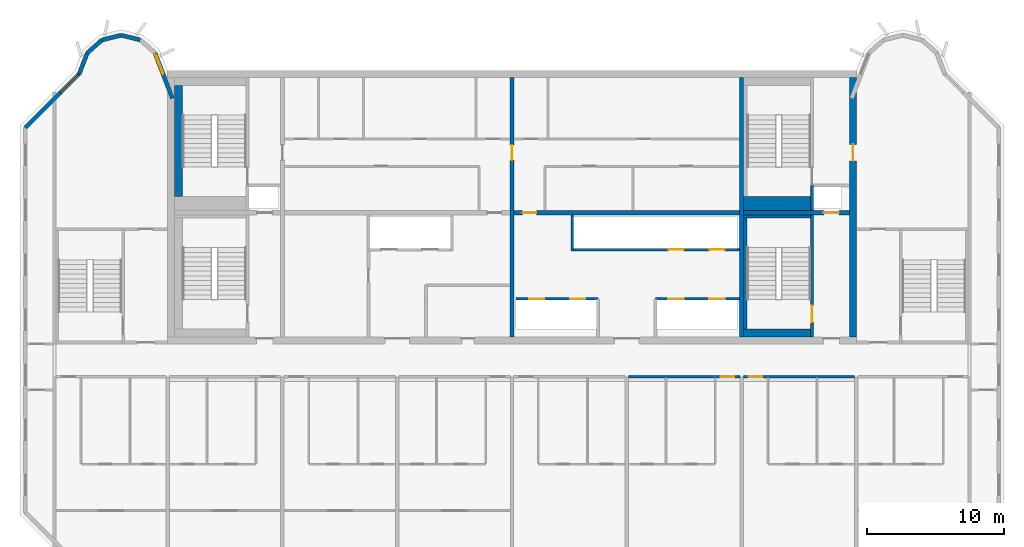
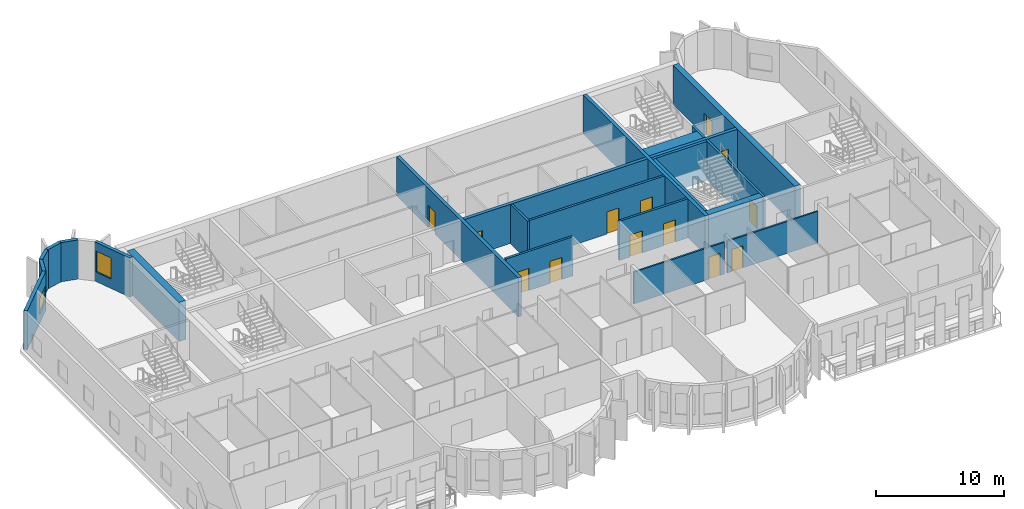
# One storey, part 6 of 12: 24 walls, 13 doors, 2 windows, 15 openings.
"""IFC4 building model written with IfcOpenShell, lengths in metres."""

from ifc_helpers import new_model, si_unit, direction, frame, frame_2d, origin, place, context, subcontext, project, spatial, rectangle, extrude, source, transform, mapped, material, layer, layer_set, type_object, element, fill, save


model = new_model("IFC4")

# Units and contexts
model_context = context("Model", 3, precision=1e-05, world=origin(), true_north=direction((0.0, 1.0)))
body_context = subcontext(model_context, "Body", "Model", "MODEL_VIEW")
ifc_project = project(units=[si_unit("LENGTHUNIT", "METRE"), si_unit("AREAUNIT", "SQUARE_METRE"), si_unit("VOLUMEUNIT", "CUBIC_METRE"), si_unit("PLANEANGLEUNIT", "RADIAN"), si_unit("MASSUNIT", "GRAM", prefix="KILO")], contexts=[model_context])

# Site, building, storey
site_placement = place(None, origin())
site = spatial("IfcSite", under=ifc_project, at=site_placement, CompositionType="ELEMENT")
building_placement = place(site_placement, origin())
building = spatial("IfcBuilding", under=site, at=building_placement, Name="Vanashikhar Sky Hotel", CompositionType="ELEMENT")
storey_placement = place(building_placement, frame((0.0, 0.0, 281.699951171875)))
storey = spatial("IfcBuildingStorey", under=building, at=storey_placement, Name="L67", CompositionType="ELEMENT", Elevation=281.699951171875)

# Wall, opening, door
ifc_material_1 = material(Name="Concrete M50", Category="concrete")
ifc_layer_1 = layer(ifc_material_1, 0.5)
ifc_layer_set_1 = layer_set([ifc_layer_1], Name="RC core shell wall 500 Concrete M50")
wall_type_1 = type_object("IfcWallType", Name="RC core shell wall 500 Concrete M50", PredefinedType="SHEAR", material=ifc_layer_set_1)
shared_shape_1 = source(origin(), body_context, "Body", "SweptSolid", [
    extrude(rectangle(XDim=19.0, YDim=0.5, at=frame_2d((9.5, 0.0))), origin(), (0.0, 0.0, 1.0), 3.719970703125),
])
wall_1_placement = place(storey_placement, frame((75.35009765625, 22.5, 0.0), z_axis=(0.0, 0.0, 1.0), x_axis=(0.0, 1.0, 0.0)))
wall_1 = element("IfcWall", 1, at=wall_1_placement, inside=storey, type_object=wall_type_1, Name="KW-L67-KE", PredefinedType="SHEAR", context=body_context, shape_type="MappedRepresentation", body=[
    mapped(shared_shape_1, transform((0.0, 0.0, 0.0), scale=1.0)),
])
shared_shape_2 = source(origin(), body_context, "Body", "SweptSolid", [
    extrude(rectangle(XDim=1.199951171875, YDim=2.10009765625, at=frame_2d((0.60009765625, 1.050048828125))), frame((0.0, 0.260009765625, 0.0), z_axis=(0.0, -1.0, 0.0), x_axis=(1.0, 0.0, 0.0)), (0.0, 0.0, 1.0), 0.52001953125),
])
opening_1_placement = place(wall_1_placement, frame((12.89990234375, 0.0, 0.0)))
opening_1 = element("IfcOpeningElement", 2, at=opening_1_placement, cuts=wall_1, Name="Opening DC-4-D", PredefinedType="OPENING", context=body_context, shape_type="MappedRepresentation", body=[
    mapped(shared_shape_2, transform((0.0, 0.0, 0.0), scale=1.0)),
])
ifc_material_2 = material(Name="Steel", Category="steel")
door_type_1 = type_object("IfcDoorType", Name="Service door 1200 FD120", OperationType="NOTDEFINED", PredefinedType="DOOR", material=ifc_material_2)
shared_shape_3 = source(origin(), body_context, "Body", "SweptSolid", [
    extrude(rectangle(XDim=1.199951171875, YDim=2.10009765625, at=frame_2d((0.60009765625, 1.050048828125))), frame((0.0, 0.02490234375, 0.0), z_axis=(0.0, -1.0, 0.0), x_axis=(1.0, 0.0, 0.0)), (0.0, 0.0, 1.0), 0.050048828125),
])
door_1_placement = place(opening_1_placement, origin())
door_1 = element("IfcDoor", 3, at=door_1_placement, inside=storey, type_object=door_type_1, Name="Service door 1200 FD120", OperationType="SINGLE_SWING_RIGHT", OverallHeight=2.10009765625, OverallWidth=1.199951171875, PredefinedType="DOOR", context=body_context, shape_type="MappedRepresentation", body=[
    mapped(shared_shape_3, transform((0.0, 0.0, 0.0), scale=1.0)),
])
fill(opening_1, door_1)

ifc_layer_2 = layer(ifc_material_1, 0.300048828125)
ifc_layer_set_2 = layer_set([ifc_layer_2], Name="RC core inner wall 300 Concrete M50")
wall_type_2 = type_object("IfcWallType", Name="RC core inner wall 300 Concrete M50", PredefinedType="SHEAR", material=ifc_layer_set_2)
shared_shape_4 = source(origin(), body_context, "Body", "SweptSolid", [
    extrude(rectangle(XDim=19.0, YDim=0.300048828125, at=frame_2d((9.5, 0.0))), origin(), (0.0, 0.0, 1.0), 3.719970703125),
])
wall_2_placement = place(storey_placement, frame((50.39990234375, 22.5, 0.0), z_axis=(0.0, 0.0, 1.0), x_axis=(0.0, 1.0, 0.0)))
wall_2 = element("IfcWall", 4, at=wall_2_placement, inside=storey, type_object=wall_type_2, Name="KW-L67-KX2", PredefinedType="SHEAR", context=body_context, shape_type="MappedRepresentation", body=[
    mapped(shared_shape_4, transform((0.0, 0.0, 0.0), scale=1.0)),
])
shared_shape_5 = source(origin(), body_context, "Body", "SweptSolid", [
    extrude(rectangle(XDim=1.10009765625, YDim=2.10009765625, at=frame_2d((0.550048828125, 1.050048828125))), frame((0.0, 0.16015625, 0.0), z_axis=(0.0, -1.0, 0.0), x_axis=(1.0, 0.0, 0.0)), (0.0, 0.0, 1.0), 0.320068359375),
])
opening_2_placement = place(wall_2_placement, frame((12.949951171875, 0.0, 0.0)))
opening_2 = element("IfcOpeningElement", 5, at=opening_2_placement, cuts=wall_2, Name="Opening DC-4-C", PredefinedType="OPENING", context=body_context, shape_type="MappedRepresentation", body=[
    mapped(shared_shape_5, transform((0.0, 0.0, 0.0), scale=1.0)),
])
door_type_2 = type_object("IfcDoorType", Name="Service door 1100 FD60", OperationType="NOTDEFINED", PredefinedType="DOOR", material=ifc_material_2)
shared_shape_6 = source(origin(), body_context, "Body", "SweptSolid", [
    extrude(rectangle(XDim=1.10009765625, YDim=2.10009765625, at=frame_2d((0.550048828125, 1.050048828125))), frame((0.0, 0.02490234375, 0.0), z_axis=(0.0, -1.0, 0.0), x_axis=(1.0, 0.0, 0.0)), (0.0, 0.0, 1.0), 0.050048828125),
])
door_2_placement = place(opening_2_placement, origin())
door_2 = element("IfcDoor", 6, at=door_2_placement, inside=storey, type_object=door_type_2, Name="Service door 1100 FD60", OperationType="SINGLE_SWING_RIGHT", OverallHeight=2.10009765625, OverallWidth=1.10009765625, PredefinedType="DOOR", context=body_context, shape_type="MappedRepresentation", body=[
    mapped(shared_shape_6, transform((0.0, 0.0, 0.0), scale=1.0)),
])
fill(opening_2, door_2)

# Wall
wall_3_placement = place(storey_placement, frame((67.199951171875, 22.5, 0.0), z_axis=(0.0, 0.0, 1.0), x_axis=(0.0, 1.0, 0.0)))
element("IfcWall", 7, at=wall_3_placement, inside=storey, type_object=wall_type_2, Name="KW-L67-KX3", PredefinedType="SHEAR", context=body_context, shape_type="MappedRepresentation", body=[
    mapped(shared_shape_4, transform((0.0, 0.0, 0.0), scale=1.0)),
])

# Wall, opening, door
shared_shape_7 = source(origin(), body_context, "Body", "SweptSolid", [
    extrude(rectangle(XDim=7.75, YDim=0.300048828125, at=frame_2d((3.875, 0.0))), origin(), (0.0, 0.0, 1.0), 3.719970703125),
])
wall_4_placement = place(storey_placement, frame((67.35009765625, 31.60009765625, 0.0), z_axis=(0.0, 0.0, 1.0), x_axis=(1.0, 0.0, 0.0)))
wall_4 = element("IfcWall", 8, at=wall_4_placement, inside=storey, type_object=wall_type_2, Name="KW-L67-KY4", PredefinedType="SHEAR", context=body_context, shape_type="MappedRepresentation", body=[
    mapped(shared_shape_7, transform((0.0, 0.0, 0.0), scale=1.0)),
])
opening_3_placement = place(wall_4_placement, frame((5.875, 0.0, 0.0)))
opening_3 = element("IfcOpeningElement", 9, at=opening_3_placement, cuts=wall_4, Name="Opening LD", PredefinedType="OPENING", context=body_context, shape_type="MappedRepresentation", body=[
    mapped(shared_shape_5, transform((0.0, 0.0, 0.0), scale=1.0)),
])
ifc_material_3 = material(Name="Stainless steel", Category="steel")
door_type_3 = type_object("IfcDoorType", Name="Lift landing door 1100", OperationType="NOTDEFINED", PredefinedType="DOOR", material=ifc_material_3)
door_3_placement = place(opening_3_placement, origin())
door_3 = element("IfcDoor", 10, at=door_3_placement, inside=storey, type_object=door_type_3, Name="Lift landing door 1100", OperationType="SLIDING_TO_RIGHT", OverallHeight=2.10009765625, OverallWidth=1.10009765625, PredefinedType="DOOR", context=body_context, shape_type="MappedRepresentation", body=[
    mapped(shared_shape_6, transform((0.0, 0.0, 0.0), scale=1.0)),
])
fill(opening_3, door_3)

shared_shape_8 = source(origin(), body_context, "Body", "SweptSolid", [
    extrude(rectangle(XDim=16.5, YDim=0.300048828125, at=frame_2d((8.25, 0.0))), origin(), (0.0, 0.0, 1.0), 3.719970703125),
])
wall_5_placement = place(storey_placement, frame((50.550048828125, 31.60009765625, 0.0), z_axis=(0.0, 0.0, 1.0), x_axis=(1.0, 0.0, 0.0)))
wall_5 = element("IfcWall", 11, at=wall_5_placement, inside=storey, type_object=wall_type_2, Name="KW-L67-KY3", PredefinedType="SHEAR", context=body_context, shape_type="MappedRepresentation", body=[
    mapped(shared_shape_8, transform((0.0, 0.0, 0.0), scale=1.0)),
])
shared_shape_9 = source(origin(), body_context, "Body", "SweptSolid", [
    extrude(rectangle(XDim=1.0, YDim=2.10009765625, at=frame_2d((0.5, 1.050048828125))), frame((0.0, 0.16015625, 0.0), z_axis=(0.0, -1.0, 0.0), x_axis=(1.0, 0.0, 0.0)), (0.0, 0.0, 1.0), 0.320068359375),
])
opening_4_placement = place(wall_5_placement, frame((0.625, 0.0, 0.0)))
opening_4 = element("IfcOpeningElement", 12, at=opening_4_placement, cuts=wall_5, Name="Opening DC-4", PredefinedType="OPENING", context=body_context, shape_type="MappedRepresentation", body=[
    mapped(shared_shape_9, transform((0.0, 0.0, 0.0), scale=1.0)),
])
door_type_4 = type_object("IfcDoorType", Name="Service door 1000 FD60", OperationType="NOTDEFINED", PredefinedType="DOOR", material=ifc_material_2)
shared_shape_10 = source(origin(), body_context, "Body", "SweptSolid", [
    extrude(rectangle(XDim=1.0, YDim=2.10009765625, at=frame_2d((0.5, 1.050048828125))), frame((0.0, 0.02490234375, 0.0), z_axis=(0.0, -1.0, 0.0), x_axis=(1.0, 0.0, 0.0)), (0.0, 0.0, 1.0), 0.050048828125),
])
door_4_placement = place(opening_4_placement, origin())
door_4 = element("IfcDoor", 13, at=door_4_placement, inside=storey, type_object=door_type_4, Name="Service door 1000 FD60", OperationType="SINGLE_SWING_RIGHT", OverallHeight=2.10009765625, OverallWidth=1.0, PredefinedType="DOOR", context=body_context, shape_type="MappedRepresentation", body=[
    mapped(shared_shape_10, transform((0.0, 0.0, 0.0), scale=1.0)),
])
fill(opening_4, door_4)

# Wall, opening, window
ifc_layer_3 = layer(ifc_material_1, 0.300048828125)
ifc_layer_set_3 = layer_set([ifc_layer_3], Name="Lobe wall 300")
wall_type_3 = type_object("IfcWallType", Name="Lobe wall 300", PredefinedType="SOLIDWALL", material=ifc_layer_set_3)
shared_shape_11 = source(origin(), body_context, "Body", "SweptSolid", [
    extrude(rectangle(XDim=5.576416015625, YDim=0.300048828125, at=frame_2d((2.7880859375, 0.0))), origin(), (0.0, 0.0, 1.0), 3.719970703125),
])
wall_6_placement = place(storey_placement, frame((18.7431640625, 41.77734375, 0.0), z_axis=(0.0, 0.0, 1.0), x_axis=(-0.707106781187, -0.707106781187, 0.0)))
wall_6 = element("IfcWall", 14, at=wall_6_placement, inside=storey, type_object=wall_type_3, Name="Corner wall", PredefinedType="SOLIDWALL", context=body_context, shape_type="MappedRepresentation", body=[
    mapped(shared_shape_11, transform((0.0, 0.0, 0.0), scale=1.0)),
])
shared_shape_12 = source(origin(), body_context, "Body", "SweptSolid", [
    extrude(rectangle(XDim=1.800048828125, YDim=1.5, at=frame_2d((0.89990234375, 0.75))), frame((0.0, 0.16015625, 0.0), z_axis=(0.0, -1.0, 0.0), x_axis=(1.0, 0.0, 0.0)), (0.0, 0.0, 1.0), 0.320068359375),
])
opening_5_placement = place(wall_6_placement, frame((0.135498046875, 0.0, 0.89990234375)))
opening_5 = element("IfcOpeningElement", 15, at=opening_5_placement, cuts=wall_6, Name="Opening WN-4", PredefinedType="OPENING", context=body_context, shape_type="MappedRepresentation", body=[
    mapped(shared_shape_12, transform((0.0, 0.0, 0.0), scale=1.0)),
])
ifc_material_4 = material(Name="Glass", Category="glass")
window_type_1 = type_object("IfcWindowType", Name="Corner window 1800 x 1500", PartitioningType="SINGLE_PANEL", PredefinedType="WINDOW", material=ifc_material_4)
shared_shape_13 = source(origin(), body_context, "Body", "SweptSolid", [
    extrude(rectangle(XDim=1.800048828125, YDim=1.5, at=frame_2d((0.89990234375, 0.75))), frame((0.0, 0.030029296875, 0.0), z_axis=(0.0, -1.0, 0.0), x_axis=(1.0, 0.0, 0.0)), (0.0, 0.0, 1.0), 0.06005859375),
])
window_1_placement = place(opening_5_placement, origin())
window_1 = element("IfcWindow", 16, at=window_1_placement, inside=storey, type_object=window_type_1, Name="Window WN-4", OverallHeight=1.5, OverallWidth=1.800048828125, PartitioningType="SINGLE_PANEL", PredefinedType="WINDOW", context=body_context, shape_type="MappedRepresentation", body=[
    mapped(shared_shape_13, transform((0.0, 0.0, 0.0), scale=1.0)),
])
fill(opening_5, window_1)

# Walls
shared_shape_14 = source(origin(), body_context, "Body", "SweptSolid", [
    extrude(rectangle(XDim=1.6220703125, YDim=0.300048828125, at=frame_2d((0.81103515625, 0.0))), origin(), (0.0, 0.0, 1.0), 3.719970703125),
])
wall_7_placement = place(storey_placement, frame((19.323486328125, 43.2919921875, 0.0), z_axis=(0.0, 0.0, 1.0), x_axis=(-0.357778527068, -0.933806471154, 0.0)))
element("IfcWall", 17, at=wall_7_placement, inside=storey, type_object=wall_type_3, Name="Lobe wall", PredefinedType="SOLIDWALL", context=body_context, shape_type="MappedRepresentation", body=[
    mapped(shared_shape_14, transform((0.0, 0.0, 0.0), scale=1.0)),
])
shared_shape_15 = source(origin(), body_context, "Body", "SweptSolid", [
    extrude(rectangle(XDim=1.43994140625, YDim=0.300048828125, at=frame_2d((0.719970703125, 0.0))), origin(), (0.0, 0.0, 1.0), 3.719970703125),
])
wall_8_placement = place(storey_placement, frame((20.40283203125, 44.2451171875, 0.0), z_axis=(0.0, 0.0, 1.0), x_axis=(-0.74957555648, -0.661918790432, 0.0)))
element("IfcWall", 18, at=wall_8_placement, inside=storey, type_object=wall_type_3, Name="Lobe wall", PredefinedType="SOLIDWALL", context=body_context, shape_type="MappedRepresentation", body=[
    mapped(shared_shape_15, transform((0.0, 0.0, 0.0), scale=1.0)),
])
shared_shape_16 = source(origin(), body_context, "Body", "SweptSolid", [
    extrude(rectangle(XDim=1.438720703125, YDim=0.300048828125, at=frame_2d((0.71923828125, 0.0))), origin(), (0.0, 0.0, 1.0), 3.719970703125),
])
wall_9_placement = place(storey_placement, frame((21.800048828125, 44.588134765625, 0.0), z_axis=(0.0, 0.0, 1.0), x_axis=(-0.971161932466, -0.238420848351, 0.0)))
element("IfcWall", 19, at=wall_9_placement, inside=storey, type_object=wall_type_3, Name="Lobe wall", PredefinedType="SOLIDWALL", context=body_context, shape_type="MappedRepresentation", body=[
    mapped(shared_shape_16, transform((0.0, 0.0, 0.0), scale=1.0)),
])

# Wall, opening, window
shared_shape_17 = source(origin(), body_context, "Body", "SweptSolid", [
    extrude(rectangle(XDim=3.55908203125, YDim=0.300048828125, at=frame_2d((1.779541015625, 0.0))), origin(), (0.0, 0.0, 1.0), 3.719970703125),
])
wall_10_placement = place(storey_placement, frame((25.550048828125, 39.968505859375, 0.0), z_axis=(0.0, 0.0, 1.0), x_axis=(-0.35779745313, 0.933799219604, 0.0)))
wall_10 = element("IfcWall", 20, at=wall_10_placement, inside=storey, type_object=wall_type_3, Name="Lobe wall", PredefinedType="SOLIDWALL", context=body_context, shape_type="MappedRepresentation", body=[
    mapped(shared_shape_17, transform((0.0, 0.0, 0.0), scale=1.0)),
])
shared_shape_18 = source(origin(), body_context, "Body", "SweptSolid", [
    extrude(rectangle(XDim=1.5, YDim=2.0, at=frame_2d((0.75, 1.0))), frame((0.0, 0.16015625, 0.0), z_axis=(0.0, -1.0, 0.0), x_axis=(1.0, 0.0, 0.0)), (0.0, 0.0, 1.0), 0.320068359375),
])
opening_6_placement = place(wall_10_placement, frame((1.9033203125, 0.0, 0.89990234375)))
opening_6 = element("IfcOpeningElement", 21, at=opening_6_placement, cuts=wall_10, Name="Opening WN-2", PredefinedType="OPENING", context=body_context, shape_type="MappedRepresentation", body=[
    mapped(shared_shape_18, transform((0.0, 0.0, 0.0), scale=1.0)),
])
window_type_2 = type_object("IfcWindowType", Name="Lobe window 1500 x 2000", PartitioningType="SINGLE_PANEL", PredefinedType="WINDOW", material=ifc_material_4)
shared_shape_19 = source(origin(), body_context, "Body", "SweptSolid", [
    extrude(rectangle(XDim=1.5, YDim=2.0, at=frame_2d((0.75, 1.0))), frame((0.0, 0.030029296875, 0.0), z_axis=(0.0, -1.0, 0.0), x_axis=(1.0, 0.0, 0.0)), (0.0, 0.0, 1.0), 0.06005859375),
])
window_2_placement = place(opening_6_placement, origin())
window_2 = element("IfcWindow", 22, at=window_2_placement, inside=storey, type_object=window_type_2, Name="Window WN-2", OverallHeight=2.0, OverallWidth=1.5, PartitioningType="SINGLE_PANEL", PredefinedType="WINDOW", context=body_context, shape_type="MappedRepresentation", body=[
    mapped(shared_shape_19, transform((0.0, 0.0, 0.0), scale=1.0)),
])
fill(opening_6, window_2)

# Wall
shared_shape_20 = source(origin(), body_context, "Body", "SweptSolid", [
    extrude(rectangle(XDim=1.4384765625, YDim=0.300048828125, at=frame_2d((0.71923828125, 0.0))), origin(), (0.0, 0.0, 1.0), 3.719970703125),
])
wall_11_placement = place(storey_placement, frame((23.197021484375, 44.2451171875, 0.0), z_axis=(0.0, 0.0, 1.0), x_axis=(-0.971152283879, 0.238460146601, 0.0)))
element("IfcWall", 23, at=wall_11_placement, inside=storey, type_object=wall_type_3, Name="Lobe wall", PredefinedType="SOLIDWALL", context=body_context, shape_type="MappedRepresentation", body=[
    mapped(shared_shape_20, transform((0.0, 0.0, 0.0), scale=1.0)),
])

# Wall, openings, doors
ifc_material_5 = material(Name="Concrete M40", Category="concrete")
ifc_layer_4 = layer(ifc_material_5, 0.199951171875)
ifc_layer_set_4 = layer_set([ifc_layer_4], Name="Shaft wall 200")
wall_type_4 = type_object("IfcWallType", Name="Shaft wall 200", PredefinedType="SOLIDWALL", material=ifc_layer_set_4)
shared_shape_21 = source(origin(), body_context, "Body", "SweptSolid", [
    extrude(rectangle(XDim=6.0, YDim=0.199951171875, at=frame_2d((3.0, 0.0))), origin(), (0.0, 0.0, 1.0), 3.719970703125),
])
wall_12_placement = place(storey_placement, frame((56.699951171875, 25.300048828125, 0.0), z_axis=(0.0, 0.0, 1.0), x_axis=(-1.0, 0.0, 0.0)))
wall_12 = element("IfcWall", 24, at=wall_12_placement, inside=storey, type_object=wall_type_4, Name="Shaft wall 200", PredefinedType="SOLIDWALL", context=body_context, shape_type="MappedRepresentation", body=[
    mapped(shared_shape_21, transform((0.0, 0.0, 0.0), scale=1.0)),
])
shared_shape_22 = source(origin(), body_context, "Body", "SweptSolid", [
    extrude(rectangle(XDim=1.10009765625, YDim=2.10009765625, at=frame_2d((0.550048828125, 1.050048828125))), frame((0.0, 0.10986328125, 0.0), z_axis=(0.0, -1.0, 0.0), x_axis=(1.0, 0.0, 0.0)), (0.0, 0.0, 1.0), 0.219970703125),
])
opening_7_placement = place(wall_12_placement, frame((0.949951171875, 0.0, 0.0)))
opening_7 = element("IfcOpeningElement", 25, at=opening_7_placement, cuts=wall_12, Name="Opening LD", PredefinedType="OPENING", context=body_context, shape_type="MappedRepresentation", body=[
    mapped(shared_shape_22, transform((0.0, 0.0, 0.0), scale=1.0)),
])
opening_8_placement = place(wall_12_placement, frame((3.949951171875, 0.0, 0.0)))
opening_8 = element("IfcOpeningElement", 26, at=opening_8_placement, cuts=wall_12, Name="Opening LD", PredefinedType="OPENING", context=body_context, shape_type="MappedRepresentation", body=[
    mapped(shared_shape_22, transform((0.0, 0.0, 0.0), scale=1.0)),
])
door_5_placement = place(opening_7_placement, origin())
door_5 = element("IfcDoor", 27, at=door_5_placement, inside=storey, type_object=door_type_3, Name="Lift landing door 1100", OperationType="SLIDING_TO_RIGHT", OverallHeight=2.10009765625, OverallWidth=1.10009765625, PredefinedType="DOOR", context=body_context, shape_type="MappedRepresentation", body=[
    mapped(shared_shape_6, transform((0.0, 0.0, 0.0), scale=1.0)),
])
fill(opening_7, door_5)
door_6_placement = place(opening_8_placement, origin())
door_6 = element("IfcDoor", 28, at=door_6_placement, inside=storey, type_object=door_type_3, Name="Lift landing door 1100", OperationType="SLIDING_TO_LEFT", OverallHeight=2.10009765625, OverallWidth=1.10009765625, PredefinedType="DOOR", context=body_context, shape_type="MappedRepresentation", body=[
    mapped(shared_shape_6, transform((0.0, 0.0, 0.0), scale=1.0)),
])
fill(opening_8, door_6)

# Wall
shared_shape_23 = source(origin(), body_context, "Body", "SweptSolid", [
    extrude(rectangle(XDim=2.64990234375, YDim=0.199951171875, at=frame_2d((1.324951171875, 0.0))), origin(), (0.0, 0.0, 1.0), 3.719970703125),
])
wall_13_placement = place(storey_placement, frame((54.800048828125, 28.800048828125, 0.0), z_axis=(0.0, 0.0, 1.0), x_axis=(0.0, 1.0, 0.0)))
element("IfcWall", 29, at=wall_13_placement, inside=storey, type_object=wall_type_4, Name="Shaft wall 200", PredefinedType="SOLIDWALL", context=body_context, shape_type="MappedRepresentation", body=[
    mapped(shared_shape_23, transform((0.0, 0.0, 0.0), scale=1.0)),
])

# Wall, openings, doors
shared_shape_24 = source(origin(), body_context, "Body", "SweptSolid", [
    extrude(rectangle(XDim=6.150146484375, YDim=0.199951171875, at=frame_2d((3.0751953125, 0.0))), origin(), (0.0, 0.0, 1.0), 3.719970703125),
])
wall_14_placement = place(storey_placement, frame((67.050048828125, 25.300048828125, 0.0), z_axis=(0.0, 0.0, 1.0), x_axis=(-1.0, 0.0, 0.0)))
wall_14 = element("IfcWall", 30, at=wall_14_placement, inside=storey, type_object=wall_type_4, Name="Shaft wall 200", PredefinedType="SOLIDWALL", context=body_context, shape_type="MappedRepresentation", body=[
    mapped(shared_shape_24, transform((0.0, 0.0, 0.0), scale=1.0)),
])
opening_9_placement = place(wall_14_placement, frame((1.10009765625, 0.0, 0.0)))
opening_9 = element("IfcOpeningElement", 31, at=opening_9_placement, cuts=wall_14, Name="Opening LD", PredefinedType="OPENING", context=body_context, shape_type="MappedRepresentation", body=[
    mapped(shared_shape_22, transform((0.0, 0.0, 0.0), scale=1.0)),
])
opening_10_placement = place(wall_14_placement, frame((4.10009765625, 0.0, 0.0)))
opening_10 = element("IfcOpeningElement", 32, at=opening_10_placement, cuts=wall_14, Name="Opening LD", PredefinedType="OPENING", context=body_context, shape_type="MappedRepresentation", body=[
    mapped(shared_shape_22, transform((0.0, 0.0, 0.0), scale=1.0)),
])
door_7_placement = place(opening_9_placement, origin())
door_7 = element("IfcDoor", 33, at=door_7_placement, inside=storey, type_object=door_type_3, Name="Lift landing door 1100", OperationType="SLIDING_TO_RIGHT", OverallHeight=2.10009765625, OverallWidth=1.10009765625, PredefinedType="DOOR", context=body_context, shape_type="MappedRepresentation", body=[
    mapped(shared_shape_6, transform((0.0, 0.0, 0.0), scale=1.0)),
])
fill(opening_9, door_7)
door_8_placement = place(opening_10_placement, origin())
door_8 = element("IfcDoor", 34, at=door_8_placement, inside=storey, type_object=door_type_3, Name="Lift landing door 1100", OperationType="SLIDING_TO_LEFT", OverallHeight=2.10009765625, OverallWidth=1.10009765625, PredefinedType="DOOR", context=body_context, shape_type="MappedRepresentation", body=[
    mapped(shared_shape_6, transform((0.0, 0.0, 0.0), scale=1.0)),
])
fill(opening_10, door_8)

shared_shape_25 = source(origin(), body_context, "Body", "SweptSolid", [
    extrude(rectangle(XDim=12.150146484375, YDim=0.199951171875, at=frame_2d((6.0751953125, 0.0))), origin(), (0.0, 0.0, 1.0), 3.719970703125),
])
wall_15_placement = place(storey_placement, frame((67.050048828125, 28.89990234375, 0.0), z_axis=(0.0, 0.0, 1.0), x_axis=(-1.0, 0.0, 0.0)))
wall_15 = element("IfcWall", 35, at=wall_15_placement, inside=storey, type_object=wall_type_4, Name="Shaft wall 200", PredefinedType="SOLIDWALL", context=body_context, shape_type="MappedRepresentation", body=[
    mapped(shared_shape_25, transform((0.0, 0.0, 0.0), scale=1.0)),
])
opening_11_placement = place(wall_15_placement, frame((1.10009765625, 0.0, 0.0)))
opening_11 = element("IfcOpeningElement", 36, at=opening_11_placement, cuts=wall_15, Name="Opening LD", PredefinedType="OPENING", context=body_context, shape_type="MappedRepresentation", body=[
    mapped(shared_shape_22, transform((0.0, 0.0, 0.0), scale=1.0)),
])
opening_12_placement = place(wall_15_placement, frame((4.10009765625, 0.0, 0.0)))
opening_12 = element("IfcOpeningElement", 37, at=opening_12_placement, cuts=wall_15, Name="Opening LD", PredefinedType="OPENING", context=body_context, shape_type="MappedRepresentation", body=[
    mapped(shared_shape_22, transform((0.0, 0.0, 0.0), scale=1.0)),
])
door_9_placement = place(opening_11_placement, origin())
door_9 = element("IfcDoor", 38, at=door_9_placement, inside=storey, type_object=door_type_3, Name="Lift landing door 1100", OperationType="SLIDING_TO_RIGHT", OverallHeight=2.10009765625, OverallWidth=1.10009765625, PredefinedType="DOOR", context=body_context, shape_type="MappedRepresentation", body=[
    mapped(shared_shape_6, transform((0.0, 0.0, 0.0), scale=1.0)),
])
fill(opening_11, door_9)
door_10_placement = place(opening_12_placement, origin())
door_10 = element("IfcDoor", 39, at=door_10_placement, inside=storey, type_object=door_type_3, Name="Lift landing door 1100", OperationType="SLIDING_TO_LEFT", OverallHeight=2.10009765625, OverallWidth=1.10009765625, PredefinedType="DOOR", context=body_context, shape_type="MappedRepresentation", body=[
    mapped(shared_shape_6, transform((0.0, 0.0, 0.0), scale=1.0)),
])
fill(opening_12, door_10)

# Wall, opening, door
ifc_layer_5 = layer(ifc_material_1, 0.199951171875)
ifc_layer_set_5 = layer_set([ifc_layer_5], Name="Stair wall 200")
wall_type_5 = type_object("IfcWallType", Name="Stair wall 200", PredefinedType="SOLIDWALL", material=ifc_layer_set_5)
shared_shape_26 = source(origin(), body_context, "Body", "SweptSolid", [
    extrude(rectangle(XDim=8.949951171875, YDim=0.199951171875, at=frame_2d((4.47509765625, 0.0))), origin(), (0.0, 0.0, 1.0), 3.719970703125),
])
wall_16_placement = place(storey_placement, frame((72.35009765625, 22.5, 0.0), z_axis=(0.0, 0.0, 1.0), x_axis=(0.0, 1.0, 0.0)))
wall_16 = element("IfcWall", 40, at=wall_16_placement, inside=storey, type_object=wall_type_5, Name="Stair wall 200", PredefinedType="SOLIDWALL", context=body_context, shape_type="MappedRepresentation", body=[
    mapped(shared_shape_26, transform((0.0, 0.0, 0.0), scale=1.0)),
])
shared_shape_27 = source(origin(), body_context, "Body", "SweptSolid", [
    extrude(rectangle(XDim=1.199951171875, YDim=2.10009765625, at=frame_2d((0.60009765625, 1.050048828125))), frame((0.0, 0.10986328125, 0.0), z_axis=(0.0, -1.0, 0.0), x_axis=(1.0, 0.0, 0.0)), (0.0, 0.0, 1.0), 0.219970703125),
])
opening_13_placement = place(wall_16_placement, frame((1.10009765625, 0.0, 0.0)))
opening_13 = element("IfcOpeningElement", 41, at=opening_13_placement, cuts=wall_16, Name="Opening DC-1", PredefinedType="OPENING", context=body_context, shape_type="MappedRepresentation", body=[
    mapped(shared_shape_27, transform((0.0, 0.0, 0.0), scale=1.0)),
])
door_type_5 = type_object("IfcDoorType", Name="Stair door 1200 FD120", OperationType="NOTDEFINED", PredefinedType="DOOR", material=ifc_material_2)
door_11_placement = place(opening_13_placement, origin())
door_11 = element("IfcDoor", 42, at=door_11_placement, inside=storey, type_object=door_type_5, Name="Stair door 1200 FD120", OperationType="SINGLE_SWING_RIGHT", OverallHeight=2.10009765625, OverallWidth=1.199951171875, PredefinedType="DOOR", context=body_context, shape_type="MappedRepresentation", body=[
    mapped(shared_shape_3, transform((0.0, 0.0, 0.0), scale=1.0)),
])
fill(opening_13, door_11)

# Walls
shared_shape_28 = source(origin(), body_context, "Body", "SweptSolid", [
    extrude(rectangle(XDim=1.85009765625, YDim=0.199951171875, at=frame_2d((0.925048828125, 0.0))), origin(), (0.0, 0.0, 1.0), 3.719970703125),
])
wall_17_placement = place(storey_placement, frame((72.35009765625, 31.75, 0.0), z_axis=(0.0, 0.0, 1.0), x_axis=(0.0, 1.0, 0.0)))
element("IfcWall", 43, at=wall_17_placement, inside=storey, type_object=wall_type_4, Name="Shaft wall 200", PredefinedType="SOLIDWALL", context=body_context, shape_type="MappedRepresentation", body=[
    mapped(shared_shape_28, transform((0.0, 0.0, 0.0), scale=1.0)),
])
ifc_layer_6 = layer(ifc_material_1, 0.60009765625)
ifc_layer_set_6 = layer_set([ifc_layer_6], Name="Stair infill wall 600")
wall_type_6 = type_object("IfcWallType", Name="Stair infill wall 600", PredefinedType="SOLIDWALL", material=ifc_layer_set_6)
shared_shape_29 = source(origin(), body_context, "Body", "SweptSolid", [
    extrude(rectangle(XDim=8.099853515625, YDim=0.60009765625, at=frame_2d((4.0498046875, 0.0))), origin(), (0.0, 0.0, 1.0), 3.719970703125),
])
wall_18_placement = place(storey_placement, frame((26.0, 32.800048828125, 0.0), z_axis=(0.0, 0.0, 1.0), x_axis=(0.0, 1.0, 0.0)))
element("IfcWall", 44, at=wall_18_placement, inside=storey, type_object=wall_type_6, Name="Stair infill wall 600", PredefinedType="SOLIDWALL", context=body_context, shape_type="MappedRepresentation", body=[
    mapped(shared_shape_29, transform((0.0, 0.0, 0.0), scale=1.0)),
])
shared_shape_30 = source(origin(), body_context, "Body", "SweptSolid", [
    extrude(rectangle(XDim=4.89990234375, YDim=0.60009765625, at=frame_2d((2.449951171875, 0.0))), origin(), (0.0, 0.0, 1.0), 3.719970703125),
])
wall_19_placement = place(storey_placement, frame((67.35009765625, 22.800048828125, 0.0), z_axis=(0.0, 0.0, 1.0), x_axis=(1.0, 0.0, 0.0)))
element("IfcWall", 45, at=wall_19_placement, inside=storey, type_object=wall_type_6, Name="Stair infill wall 600", PredefinedType="SOLIDWALL", context=body_context, shape_type="MappedRepresentation", body=[
    mapped(shared_shape_30, transform((0.0, 0.0, 0.0), scale=1.0)),
])
ifc_layer_7 = layer(ifc_material_1, 0.25)
ifc_layer_set_7 = layer_set([ifc_layer_7], Name="Stair infill wall 250")
wall_type_7 = type_object("IfcWallType", Name="Stair infill wall 250", PredefinedType="SOLIDWALL", material=ifc_layer_set_7)
shared_shape_31 = source(origin(), body_context, "Body", "SweptSolid", [
    extrude(rectangle(XDim=4.89990234375, YDim=0.25, at=frame_2d((2.449951171875, 0.0))), origin(), (0.0, 0.0, 1.0), 3.719970703125),
])
wall_20_placement = place(storey_placement, frame((67.35009765625, 31.324951171875, 0.0), z_axis=(0.0, 0.0, 1.0), x_axis=(1.0, 0.0, 0.0)))
element("IfcWall", 46, at=wall_20_placement, inside=storey, type_object=wall_type_7, Name="Stair infill wall 250", PredefinedType="SOLIDWALL", context=body_context, shape_type="MappedRepresentation", body=[
    mapped(shared_shape_31, transform((0.0, 0.0, 0.0), scale=1.0)),
])
shared_shape_32 = source(origin(), body_context, "Body", "SweptSolid", [
    extrude(rectangle(XDim=8.099853515625, YDim=0.25, at=frame_2d((4.0498046875, 0.0))), origin(), (0.0, 0.0, 1.0), 3.719970703125),
])
wall_21_placement = place(storey_placement, frame((67.47509765625, 23.10009765625, 0.0), z_axis=(0.0, 0.0, 1.0), x_axis=(0.0, 1.0, 0.0)))
element("IfcWall", 47, at=wall_21_placement, inside=storey, type_object=wall_type_7, Name="Stair infill wall 250", PredefinedType="SOLIDWALL", context=body_context, shape_type="MappedRepresentation", body=[
    mapped(shared_shape_32, transform((0.0, 0.0, 0.0), scale=1.0)),
])
ifc_layer_8 = layer(ifc_material_1, 1.050048828125)
ifc_layer_set_8 = layer_set([ifc_layer_8], Name="Stair infill wall 1050")
wall_type_8 = type_object("IfcWallType", Name="Stair infill wall 1050", PredefinedType="SOLIDWALL", material=ifc_layer_set_8)
shared_shape_33 = source(origin(), body_context, "Body", "SweptSolid", [
    extrude(rectangle(XDim=4.89990234375, YDim=1.050048828125, at=frame_2d((2.449951171875, 0.0))), origin(), (0.0, 0.0, 1.0), 3.719970703125),
])
wall_22_placement = place(storey_placement, frame((67.35009765625, 32.27490234375, 0.0), z_axis=(0.0, 0.0, 1.0), x_axis=(1.0, 0.0, 0.0)))
element("IfcWall", 48, at=wall_22_placement, inside=storey, type_object=wall_type_8, Name="Stair infill wall 1050", PredefinedType="SOLIDWALL", context=body_context, shape_type="MappedRepresentation", body=[
    mapped(shared_shape_33, transform((0.0, 0.0, 0.0), scale=1.0)),
])

# Wall, opening, door
ifc_material_6 = material(Name="Gypsum plasterboard partition")
ifc_layer_9 = layer(ifc_material_6, 0.14990234375)
ifc_layer_set_9 = layer_set([ifc_layer_9], Name="Corridor and demising partition 150")
wall_type_9 = type_object("IfcWallType", Name="Corridor and demising partition 150", PredefinedType="PARTITIONING", material=ifc_layer_set_9)
shared_shape_34 = source(origin(), body_context, "Body", "SweptSolid", [
    extrude(rectangle(XDim=8.150146484375, YDim=0.14990234375, at=frame_2d((4.0751953125, 0.0))), origin(), (0.0, 0.0, 1.0), 3.02001953125),
])
wall_23_placement = place(storey_placement, frame((67.324951171875, 19.60009765625, 0.0), z_axis=(0.0, 0.0, 1.0), x_axis=(1.0, 0.0, 0.0)))
wall_23 = element("IfcWall", 49, at=wall_23_placement, inside=storey, type_object=wall_type_9, Name="W-L67-PW039", PredefinedType="PARTITIONING", context=body_context, shape_type="MappedRepresentation", body=[
    mapped(shared_shape_34, transform((0.0, 0.0, 0.0), scale=1.0)),
])
shared_shape_35 = source(origin(), body_context, "Body", "SweptSolid", [
    extrude(rectangle(XDim=1.0, YDim=2.10009765625, at=frame_2d((0.5, 1.050048828125))), frame((0.0, 0.0849609375, 0.0), z_axis=(0.0, -1.0, 0.0), x_axis=(1.0, 0.0, 0.0)), (0.0, 0.0, 1.0), 0.169921875),
])
opening_14_placement = place(wall_23_placement, frame((0.39990234375, 0.0, 0.0)))
opening_14 = element("IfcOpeningElement", 50, at=opening_14_placement, cuts=wall_23, Name="Opening D-01", PredefinedType="OPENING", context=body_context, shape_type="MappedRepresentation", body=[
    mapped(shared_shape_35, transform((0.0, 0.0, 0.0), scale=1.0)),
])
ifc_material_7 = material(Name="Timber fire door", Category="wood")
door_type_6 = type_object("IfcDoorType", Name="Guest entry door 1000 FD30S", OperationType="NOTDEFINED", PredefinedType="DOOR", material=ifc_material_7)
door_12_placement = place(opening_14_placement, origin())
door_12 = element("IfcDoor", 51, at=door_12_placement, inside=storey, type_object=door_type_6, Name="D-L67-025", OperationType="SINGLE_SWING_LEFT", OverallHeight=2.10009765625, OverallWidth=1.0, PredefinedType="DOOR", context=body_context, shape_type="MappedRepresentation", body=[
    mapped(shared_shape_10, transform((0.0, 0.0, 0.0), scale=1.0)),
])
fill(opening_14, door_12)

shared_shape_36 = source(origin(), body_context, "Body", "SweptSolid", [
    extrude(rectangle(XDim=8.14990234375, YDim=0.14990234375, at=frame_2d((4.074951171875, 0.0))), origin(), (0.0, 0.0, 1.0), 3.02001953125),
])
wall_24_placement = place(storey_placement, frame((58.925048828125, 19.60009765625, 0.0), z_axis=(0.0, 0.0, 1.0), x_axis=(1.0, 0.0, 0.0)))
wall_24 = element("IfcWall", 52, at=wall_24_placement, inside=storey, type_object=wall_type_9, Name="W-L67-PW034", PredefinedType="PARTITIONING", context=body_context, shape_type="MappedRepresentation", body=[
    mapped(shared_shape_36, transform((0.0, 0.0, 0.0), scale=1.0)),
])
opening_15_placement = place(wall_24_placement, frame((6.75, 0.0, 0.0)))
opening_15 = element("IfcOpeningElement", 53, at=opening_15_placement, cuts=wall_24, Name="Opening D-01", PredefinedType="OPENING", context=body_context, shape_type="MappedRepresentation", body=[
    mapped(shared_shape_35, transform((0.0, 0.0, 0.0), scale=1.0)),
])
door_13_placement = place(opening_15_placement, origin())
door_13 = element("IfcDoor", 54, at=door_13_placement, inside=storey, type_object=door_type_6, Name="D-L67-022", OperationType="SINGLE_SWING_RIGHT", OverallHeight=2.10009765625, OverallWidth=1.0, PredefinedType="DOOR", context=body_context, shape_type="MappedRepresentation", body=[
    mapped(shared_shape_10, transform((0.0, 0.0, 0.0), scale=1.0)),
])
fill(opening_15, door_13)

save(model, "model.ifc")
